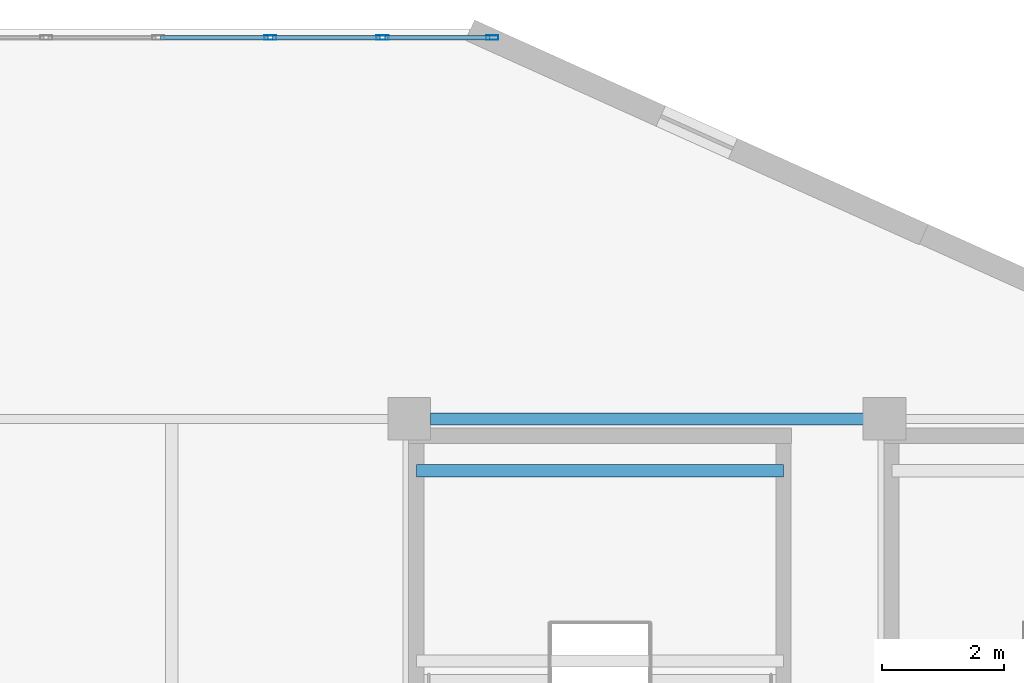
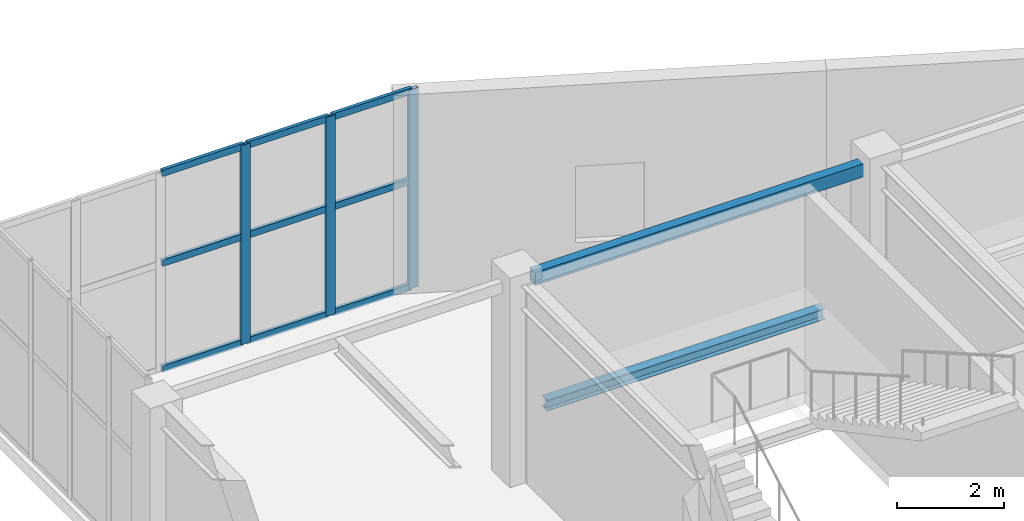
# One storey, part 48 of 72: 12 members, 2 beams, 1 element without a shape of its own.
"""IFC4 building model written with IfcOpenShell, lengths in metres."""

import ifcopenshell
import ifcopenshell.guid

model = None  # the IFC model being written
_history = None  # IfcOwnerHistory: only IFC2X3 demands one
_inside = {}  # id of a spatial element -> (the spatial element, [elements in it])
_under = {}  # id of a project, library or spatial element -> (it, [spatial elements below it])
_declared = {}  # id of a project -> (the project, [libraries it declares])
_typed = {}  # id of a type object -> (the type object, [elements of that type])
_made_of = {}  # id of a material, layer set ... -> (it, [elements and type objects made of it])


def new_model(schema):
    """Start an empty IFC model of exactly this schema.

    Asked for "IFC4X3", IfcOpenShell would pick the latest addendum, in which some entities
    have other attributes; the version numbers below select the first issue.
    IFC2X3 requires an IfcOwnerHistory on every rooted entity: one is made here for all.
    """
    global model, _history
    if schema == "IFC4X3":
        model = ifcopenshell.file(schema_version=(4, 3, 0, 0))
    else:
        model = ifcopenshell.file(schema=schema)
    _inside.clear()
    _under.clear()
    _declared.clear()
    _typed.clear()
    _made_of.clear()
    _history = None
    if model.schema == "IFC2X3":
        org = make("IfcOrganization", Name="unknown")
        user = make(
            "IfcPersonAndOrganization",
            ThePerson=make("IfcPerson", FamilyName="unknown"),
            TheOrganization=org,
        )
        app = make(
            "IfcApplication",
            ApplicationDeveloper=org,
            Version="unknown",
            ApplicationFullName="unknown",
            ApplicationIdentifier="unknown",
        )
        _history = make(
            "IfcOwnerHistory",
            OwningUser=user,
            OwningApplication=app,
            ChangeAction="ADDED",
            CreationDate=0,
        )
    return model


def make(cls, **values):
    """One entity of the class cls with the attributes given. An attribute that is None is left unset."""
    return model.create_entity(
        cls, **{name: value for name, value in values.items() if value is not None}
    )


def rooted(cls, **values):
    """An entity with a GlobalId (a new one), such as an element, a storey or a relation."""
    return make(cls, GlobalId=ifcopenshell.guid.new(), OwnerHistory=_history, **values)


def si_unit(unit_type, name, prefix=None):
    """IfcSIUnit, for example si_unit("LENGTHUNIT", "METRE", prefix="MILLI")."""
    return make("IfcSIUnit", UnitType=unit_type, Prefix=prefix, Name=name)


def assignment(units):
    """IfcUnitAssignment: the units of a project."""
    return None if units is None else make("IfcUnitAssignment", Units=units)


def point(xyz):
    """IfcCartesianPoint."""
    return None if xyz is None else make("IfcCartesianPoint", Coordinates=xyz)


def direction(xyz):
    """IfcDirection."""
    return None if xyz is None else make("IfcDirection", DirectionRatios=xyz)


def frame(location, z_axis=None, x_axis=None):
    """IfcAxis2Placement3D, a coordinate frame: its origin and axes. An axis left out is left unset."""
    return make(
        "IfcAxis2Placement3D",
        Location=point(location),
        Axis=direction(z_axis),
        RefDirection=direction(x_axis),
    )


def frame_2d(location, x_axis=None):
    """IfcAxis2Placement2D, a coordinate frame in the plane: its origin and x axis."""
    return make(
        "IfcAxis2Placement2D", Location=point(location), RefDirection=direction(x_axis)
    )


def origin():
    """The frame at (0, 0, 0) with its axes left unset."""
    return frame((0.0, 0.0, 0.0))


def origin_2d():
    """The frame at (0, 0) in the plane with its x axis left unset."""
    return frame_2d((0.0, 0.0))


def place(relative_to, where):
    """IfcLocalPlacement: puts the frame where relative to a parent placement (None: the world)."""
    return make(
        "IfcLocalPlacement", PlacementRelTo=relative_to, RelativePlacement=where
    )


def context(
    kind, dimensions, precision=None, world=None, true_north=None, identifier=None
):
    """IfcGeometricRepresentationContext, for example the 3D "Model" context."""
    return make(
        "IfcGeometricRepresentationContext",
        ContextIdentifier=identifier,
        ContextType=kind,
        CoordinateSpaceDimension=dimensions,
        Precision=precision,
        WorldCoordinateSystem=world,
        TrueNorth=true_north,
    )


def subcontext(parent, identifier, kind, view, scale=None):
    """IfcGeometricRepresentationSubContext, for example "Body" below "Model"."""
    return make(
        "IfcGeometricRepresentationSubContext",
        ContextIdentifier=identifier,
        ContextType=kind,
        ParentContext=parent,
        TargetScale=scale,
        TargetView=view,
    )


def project(units=None, contexts=None):
    """IfcProject with its units and contexts."""
    return rooted(
        "IfcProject",
        Name="project",
        RepresentationContexts=contexts,
        UnitsInContext=assignment(units),
    )


def spatial(cls, under=None, at=None, **own):
    """A site, building, storey or space (cls), placed at a placement, below another one or the project."""
    s = rooted(cls, ObjectPlacement=at, **own)
    if under is not None:
        _under.setdefault(under.id(), (under, []))[1].append(s)
    return s


def profile(cls, at=None, kind="AREA", **sizes):
    """A parametric profile (cls). Its sizes go by their IFC names, for example OverallWidth=200.0."""
    return make(cls, ProfileType=kind, Position=at, **sizes)


def hollow_rectangle(**sizes):
    """IfcRectangleHollowProfileDef."""
    return profile("IfcRectangleHollowProfileDef", **sizes)


def i_section(**sizes):
    """IfcIShapeProfileDef."""
    return profile("IfcIShapeProfileDef", **sizes)


def extrude(swept, where, along, depth):
    """IfcExtrudedAreaSolid: the profile swept, set in the frame where, extruded along a direction by depth."""
    return make(
        "IfcExtrudedAreaSolid",
        SweptArea=swept,
        Position=where,
        ExtrudedDirection=direction(along),
        Depth=depth,
    )


def shape(context_of_items, identifier, shape_type, items):
    """IfcShapeRepresentation: the items that make up one representation, for example the "Body"."""
    return make(
        "IfcShapeRepresentation",
        ContextOfItems=context_of_items,
        RepresentationIdentifier=identifier,
        RepresentationType=shape_type,
        Items=items,
    )


def material(Name=None, Category=None):
    """IfcMaterial."""
    return make("IfcMaterial", Name=Name, Category=Category)


def layer(
    of_material, thickness, ventilated=None, Name=None, Category=None, Priority=None
):
    """IfcMaterialLayer: one layer of a wall or slab, of a material (None: an air gap)."""
    return make(
        "IfcMaterialLayer",
        Material=of_material,
        LayerThickness=thickness,
        IsVentilated=ventilated,
        Name=Name,
        Category=Category,
        Priority=Priority,
    )


def layer_set(layers, Name=None):
    """IfcMaterialLayerSet."""
    return make("IfcMaterialLayerSet", MaterialLayers=layers, LayerSetName=Name)


def material_profile(
    of_material, cross_section, Name=None, Category=None, Priority=None
):
    """IfcMaterialProfile: a cross section and its material."""
    return make(
        "IfcMaterialProfile",
        Name=Name,
        Material=of_material,
        Profile=cross_section,
        Priority=Priority,
        Category=Category,
    )


def profile_set(profiles, Name=None, composite=None):
    """IfcMaterialProfileSet."""
    return make(
        "IfcMaterialProfileSet",
        Name=Name,
        MaterialProfiles=profiles,
        CompositeProfile=composite,
    )


def made_of(thing, what):
    """Note that an element or type object is made of a material, layer set ...; save() writes the relation."""
    if what is not None:
        _made_of.setdefault(what.id(), (what, []))[1].append(thing)
    return thing


def type_object(cls, material=None, **own):
    """A type object (cls), such as IfcWallType, which elements share."""
    return made_of(rooted(cls, **own), material)


def element(
    cls,
    number,
    at=None,
    inside=None,
    cuts=None,
    type_object=None,
    material=None,
    context=None,
    identifier="Body",
    shape_type=None,
    held_by="IfcProductDefinitionShape",
    body=None,
    shapes=None,
    **own,
):
    """One element of the class cls, such as IfcWall. Its Tag is "e" and its number.

    at: its placement. inside: the storey or other place that contains it. cuts: it is an
    opening in that element (IfcRelVoidsElement). A single representation is given by context,
    identifier, shape_type and body (its items); several are given by shapes. held_by: the class
    of the entity that holds the representations. save() writes the other relations.
    """
    e = rooted(cls, Tag="e%d" % number, ObjectPlacement=at, **own)
    if body is not None:
        shapes = [shape(context, identifier, shape_type, body)]
    if shapes is not None:
        e.Representation = make(held_by, Representations=shapes)
    if inside is not None:
        _inside.setdefault(inside.id(), (inside, []))[1].append(e)
    if cuts is not None:
        rooted(
            "IfcRelVoidsElement", RelatingBuildingElement=cuts, RelatedOpeningElement=e
        )
    if type_object is not None:
        _typed.setdefault(type_object.id(), (type_object, []))[1].append(e)
    return made_of(e, material)


def aggregate(whole, parts):
    """IfcRelAggregates: a whole, such as a stair, and the parts it consists of."""
    return rooted("IfcRelAggregates", RelatingObject=whole, RelatedObjects=parts)


def save(model, path):
    """Write the relations noted so far, then the file.

    IfcRelAggregates (storeys below a building ...), IfcRelContainedInSpatialStructure (elements
    in a storey), IfcRelDefinesByType, IfcRelAssociatesMaterial and IfcRelDeclares: one each for
    every whole, place, type object, material and project.
    """
    for whole, parts in _under.values():
        aggregate(whole, parts)
    for where, things in _inside.values():
        rooted(
            "IfcRelContainedInSpatialStructure",
            RelatedElements=things,
            RelatingStructure=where,
        )
    for kind, things in _typed.values():
        rooted("IfcRelDefinesByType", RelatedObjects=things, RelatingType=kind)
    for what, things in _made_of.values():
        rooted("IfcRelAssociatesMaterial", RelatedObjects=things, RelatingMaterial=what)
    for by, libraries in _declared.values():
        rooted("IfcRelDeclares", RelatingContext=by, RelatedDefinitions=libraries)
    model.write(path)


model = new_model("IFC4")

# Units and contexts
model_context = context("Model", 3, precision=1e-05, world=origin(), true_north=direction((0.0, 1.0)))
body_context = subcontext(model_context, "Body", "Model", "MODEL_VIEW")
ifc_project = project(units=[si_unit("LENGTHUNIT", "METRE"), si_unit("AREAUNIT", "SQUARE_METRE"), si_unit("VOLUMEUNIT", "CUBIC_METRE"), si_unit("PLANEANGLEUNIT", "RADIAN"), si_unit("MASSUNIT", "GRAM", prefix="KILO")], contexts=[model_context])

# Site, building, storey
site_placement = place(None, origin())
site = spatial("IfcSite", under=ifc_project, at=site_placement, CompositionType="ELEMENT")
building_placement = place(site_placement, origin())
building = spatial("IfcBuilding", under=site, at=building_placement, Name="Xicomal Pleat Aquarium", CompositionType="ELEMENT")
storey_placement = place(building_placement, frame((0.0, 0.0, 10.5)))
storey = spatial("IfcBuildingStorey", under=building, at=storey_placement, Name="L03", CompositionType="ELEMENT", Elevation=10.5)

# Beams
ifc_material_1 = material(Name="Structural steel A992 Gr 50", Category="steel")
ifc_material_profile_1 = material_profile(ifc_material_1, i_section(OverallWidth=0.201904296875, OverallDepth=0.2470703125, WebThickness=0.00732421875, FlangeThickness=0.010986328125, at=origin_2d()), Name="IR 250x49")
ifc_profile_set_1 = profile_set([ifc_material_profile_1], Name="Structural steel A992 Gr 50")
beam_type_1 = type_object("IfcBeamType", Name="BM-STL-IR250", PredefinedType="JOIST", material=ifc_profile_set_1)
beam_1_placement = place(storey_placement, frame((141.719970703125, 97.550048828125, 2.0791015625), z_axis=(1.0, 0.0, 0.0), x_axis=(0.0, 1.0, 0.0)))
element("IfcBeam", 1, at=beam_1_placement, inside=storey, type_object=beam_type_1, Name="ST-05-L03 half-landing bearer beam 1", PredefinedType="JOIST", context=body_context, shape_type="SweptSolid", body=[
    extrude(i_section(OverallWidth=0.201904296875, OverallDepth=0.2470703125, WebThickness=0.00732421875, FlangeThickness=0.010986328125, at=origin_2d()), origin(), (0.0, 0.0, 1.0), 6.02001953125),
])
ifc_material_2 = material(Name="Structural steel A500 Gr C", Category="steel")
ifc_material_profile_2 = material_profile(ifc_material_2, hollow_rectangle(XDim=0.199951171875, YDim=0.300048828125, WallThickness=0.011962890625, at=origin_2d()), Name="OR 300x200x12")
ifc_profile_set_2 = profile_set([ifc_material_profile_2], Name="Structural steel A500 Gr C")
beam_type_2 = type_object("IfcBeamType", Name="BM-STL-OR300", PredefinedType="SPANDREL", material=ifc_profile_set_2)
beam_2_placement = place(storey_placement, frame((141.945068359375, 98.39990234375, 4.389892578125), z_axis=(1.0, 0.0, 0.0), x_axis=(0.0, 1.0, 0.0)))
element("IfcBeam", 2, at=beam_2_placement, inside=storey, type_object=beam_type_2, Name="L03 framing beam FGX-L03-18-19-P", PredefinedType="SPANDREL", context=body_context, shape_type="SweptSolid", body=[
    extrude(hollow_rectangle(XDim=0.199951171875, YDim=0.300048828125, WallThickness=0.011962890625, at=origin_2d()), origin(), (0.0, 0.0, 1.0), 7.10986328125),
])

# Curtain wall, members
ifc_material_3 = material(Name="Bronze anodized aluminium 6063-T6", Category="aluminium")
ifc_layer = layer(ifc_material_3, 0.159912109375)
ifc_layer_set = layer_set([ifc_layer], Name="Bronze anodized aluminium 6063-T6")
curtain_wall_type = type_object("IfcCurtainWallType", Name="CW-SYS-08", PredefinedType="NOTDEFINED", material=ifc_layer_set)
curtain_wall_placement = place(storey_placement, origin())
curtain_wall = element("IfcCurtainWall", 3, at=curtain_wall_placement, inside=storey, type_object=curtain_wall_type, Name="L03 unitised curtain wall CW-L03-157", PredefinedType="NOTDEFINED")
ifc_material_4 = material(Name="Bronze anodized aluminium 6063-T6", Category="aluminium")
ifc_material_profile_3 = material_profile(ifc_material_4, hollow_rectangle(XDim=0.074951171875, YDim=0.199951171875, WallThickness=0.00439453125, at=origin_2d()), Name="ALU MULL 75x200")
ifc_profile_set_3 = profile_set([ifc_material_profile_3], Name="Bronze anodized aluminium 6063-T6")
member_type_1 = type_object("IfcMemberType", Name="CWM-75x200", PredefinedType="MULLION", material=ifc_profile_set_3)
member_1_placement = place(storey_placement, frame((139.320068359375, 104.659912109375, 0.0), z_axis=(0.0, 0.0, 1.0), x_axis=(0.0, 1.0, 0.0)))
member_1 = element("IfcMember", 4, at=member_1_placement, type_object=member_type_1, Name="CW-08 mullion 4", PredefinedType="MULLION", context=body_context, shape_type="SweptSolid", body=[
    extrude(hollow_rectangle(XDim=0.074951171875, YDim=0.199951171875, WallThickness=0.00439453125, at=origin_2d()), origin(), (0.0, 0.0, 1.0), 4.56005859375),
])
member_2_placement = place(storey_placement, frame((141.159912109375, 104.659912109375, 0.0), z_axis=(0.0, 0.0, 1.0), x_axis=(0.0, 1.0, 0.0)))
member_2 = element("IfcMember", 5, at=member_2_placement, type_object=member_type_1, Name="CW-08 mullion 5", PredefinedType="MULLION", context=body_context, shape_type="SweptSolid", body=[
    extrude(hollow_rectangle(XDim=0.074951171875, YDim=0.199951171875, WallThickness=0.00439453125, at=origin_2d()), origin(), (0.0, 0.0, 1.0), 4.56005859375),
])
member_3_placement = place(storey_placement, frame((142.96240234375, 104.659912109375, 0.0), z_axis=(0.0, 0.0, 1.0), x_axis=(0.0, 1.0, 0.0)))
member_3 = element("IfcMember", 6, at=member_3_placement, type_object=member_type_1, Name="CW-08 mullion 6", PredefinedType="MULLION", context=body_context, shape_type="SweptSolid", body=[
    extrude(hollow_rectangle(XDim=0.074951171875, YDim=0.199951171875, WallThickness=0.00439453125, at=origin_2d()), origin(), (0.0, 0.0, 1.0), 4.56005859375),
])
ifc_material_5 = material(Name="Bronze anodized aluminium 6063-T6", Category="aluminium")
ifc_material_profile_4 = material_profile(ifc_material_5, hollow_rectangle(XDim=0.074951171875, YDim=0.14990234375, WallThickness=0.00439453125, at=origin_2d()), Name="ALU TRAN 75x150")
ifc_profile_set_4 = profile_set([ifc_material_profile_4], Name="Bronze anodized aluminium 6063-T6")
member_type_2 = type_object("IfcMemberType", Name="CWT-75x150", PredefinedType="USERDEFINED", material=ifc_profile_set_4)
member_4_placement = place(storey_placement, frame((137.517578125, 104.659912109375, 0.03759765625), z_axis=(1.0, 0.0, 0.0), x_axis=(0.0, 1.0, 0.0)))
member_4 = element("IfcMember", 7, at=member_4_placement, type_object=member_type_2, Name="CW-08 transom 3.1", ObjectType="TRANSOM", PredefinedType="USERDEFINED", context=body_context, shape_type="SweptSolid", body=[
    extrude(hollow_rectangle(XDim=0.074951171875, YDim=0.14990234375, WallThickness=0.00439453125, at=origin_2d()), origin(), (0.0, 0.0, 1.0), 1.764892578125),
])
member_5_placement = place(storey_placement, frame((137.517578125, 104.659912109375, 2.4619140625), z_axis=(1.0, 0.0, 0.0), x_axis=(0.0, 1.0, 0.0)))
member_5 = element("IfcMember", 8, at=member_5_placement, type_object=member_type_2, Name="CW-08 transom 3.2", ObjectType="TRANSOM", PredefinedType="USERDEFINED", context=body_context, shape_type="SweptSolid", body=[
    extrude(hollow_rectangle(XDim=0.074951171875, YDim=0.14990234375, WallThickness=0.00439453125, at=origin_2d()), origin(), (0.0, 0.0, 1.0), 1.764892578125),
])
member_6_placement = place(storey_placement, frame((137.517578125, 104.659912109375, 4.5224609375), z_axis=(1.0, 0.0, 0.0), x_axis=(0.0, 1.0, 0.0)))
member_6 = element("IfcMember", 9, at=member_6_placement, type_object=member_type_2, Name="CW-08 transom 3.3", ObjectType="TRANSOM", PredefinedType="USERDEFINED", context=body_context, shape_type="SweptSolid", body=[
    extrude(hollow_rectangle(XDim=0.074951171875, YDim=0.14990234375, WallThickness=0.00439453125, at=origin_2d()), origin(), (0.0, 0.0, 1.0), 1.764892578125),
])
member_7_placement = place(storey_placement, frame((139.357421875, 104.659912109375, 0.03759765625), z_axis=(1.0, 0.0, 0.0), x_axis=(0.0, 1.0, 0.0)))
member_7 = element("IfcMember", 10, at=member_7_placement, type_object=member_type_2, Name="CW-08 transom 4.1", ObjectType="TRANSOM", PredefinedType="USERDEFINED", context=body_context, shape_type="SweptSolid", body=[
    extrude(hollow_rectangle(XDim=0.074951171875, YDim=0.14990234375, WallThickness=0.00439453125, at=origin_2d()), origin(), (0.0, 0.0, 1.0), 1.76513671875),
])
member_8_placement = place(storey_placement, frame((139.357421875, 104.659912109375, 2.4619140625), z_axis=(1.0, 0.0, 0.0), x_axis=(0.0, 1.0, 0.0)))
member_8 = element("IfcMember", 11, at=member_8_placement, type_object=member_type_2, Name="CW-08 transom 4.2", ObjectType="TRANSOM", PredefinedType="USERDEFINED", context=body_context, shape_type="SweptSolid", body=[
    extrude(hollow_rectangle(XDim=0.074951171875, YDim=0.14990234375, WallThickness=0.00439453125, at=origin_2d()), origin(), (0.0, 0.0, 1.0), 1.76513671875),
])
member_9_placement = place(storey_placement, frame((139.357421875, 104.659912109375, 4.5224609375), z_axis=(1.0, 0.0, 0.0), x_axis=(0.0, 1.0, 0.0)))
member_9 = element("IfcMember", 12, at=member_9_placement, type_object=member_type_2, Name="CW-08 transom 4.3", ObjectType="TRANSOM", PredefinedType="USERDEFINED", context=body_context, shape_type="SweptSolid", body=[
    extrude(hollow_rectangle(XDim=0.074951171875, YDim=0.14990234375, WallThickness=0.00439453125, at=origin_2d()), origin(), (0.0, 0.0, 1.0), 1.76513671875),
])
member_10_placement = place(storey_placement, frame((141.197509765625, 104.659912109375, 0.03759765625), z_axis=(1.0, 0.0, 0.0), x_axis=(0.0, 1.0, 0.0)))
member_10 = element("IfcMember", 13, at=member_10_placement, type_object=member_type_2, Name="CW-08 transom 5.1", ObjectType="TRANSOM", PredefinedType="USERDEFINED", context=body_context, shape_type="SweptSolid", body=[
    extrude(hollow_rectangle(XDim=0.074951171875, YDim=0.14990234375, WallThickness=0.00439453125, at=origin_2d()), origin(), (0.0, 0.0, 1.0), 1.7275390625),
])
member_11_placement = place(storey_placement, frame((141.197509765625, 104.659912109375, 2.4619140625), z_axis=(1.0, 0.0, 0.0), x_axis=(0.0, 1.0, 0.0)))
member_11 = element("IfcMember", 14, at=member_11_placement, type_object=member_type_2, Name="CW-08 transom 5.2", ObjectType="TRANSOM", PredefinedType="USERDEFINED", context=body_context, shape_type="SweptSolid", body=[
    extrude(hollow_rectangle(XDim=0.074951171875, YDim=0.14990234375, WallThickness=0.00439453125, at=origin_2d()), origin(), (0.0, 0.0, 1.0), 1.7275390625),
])
member_12_placement = place(storey_placement, frame((141.197509765625, 104.659912109375, 4.5224609375), z_axis=(1.0, 0.0, 0.0), x_axis=(0.0, 1.0, 0.0)))
member_12 = element("IfcMember", 15, at=member_12_placement, type_object=member_type_2, Name="CW-08 transom 5.3", ObjectType="TRANSOM", PredefinedType="USERDEFINED", context=body_context, shape_type="SweptSolid", body=[
    extrude(hollow_rectangle(XDim=0.074951171875, YDim=0.14990234375, WallThickness=0.00439453125, at=origin_2d()), origin(), (0.0, 0.0, 1.0), 1.7275390625),
])
aggregate(curtain_wall, [member_1, member_2, member_3, member_4, member_5, member_6, member_7, member_8, member_9, member_10, member_11, member_12])

save(model, "model.ifc")
